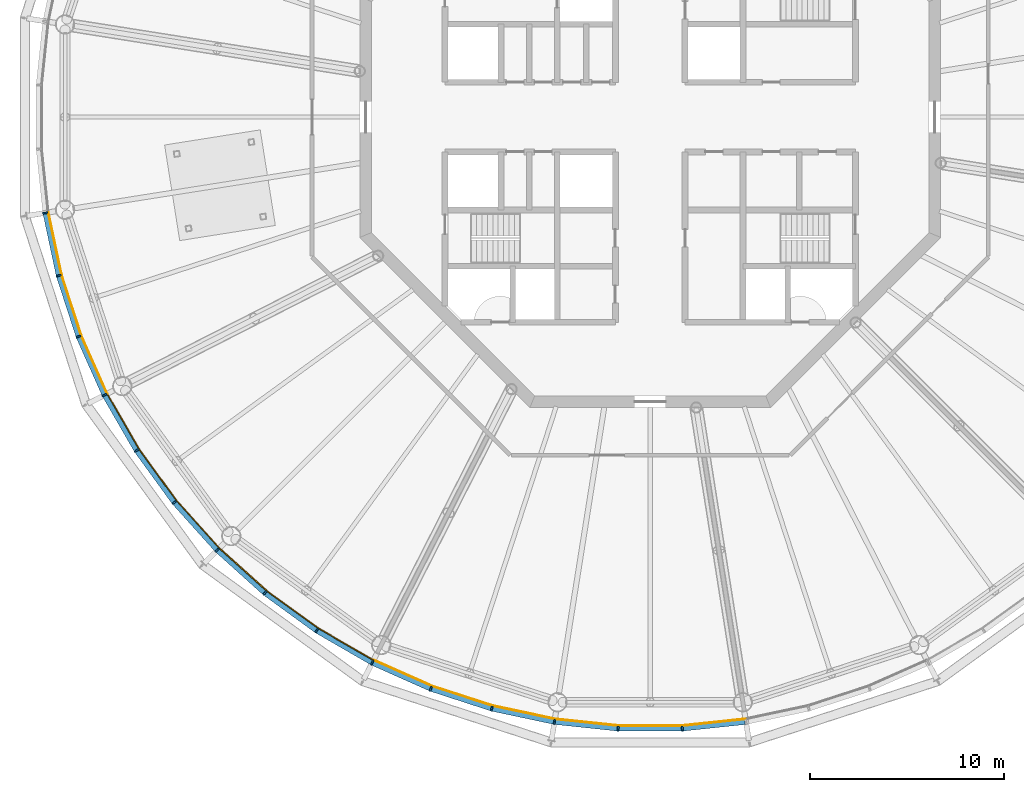
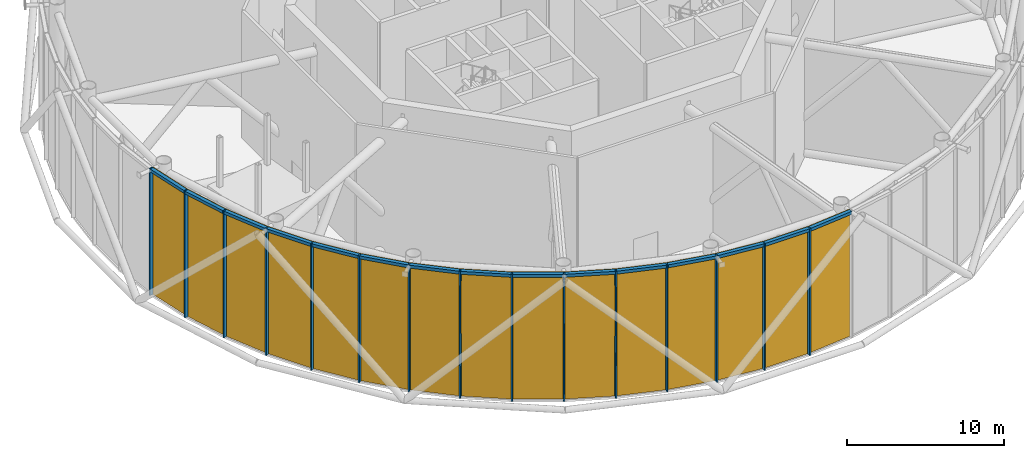
# One storey, part 18 of 23: 30 members, 5 curtain walls.
"""IFC4 building model written with IfcOpenShell, lengths in metres."""

from ifc_helpers import new_model, si_unit, direction, frame, origin, origin_2d, place, context, subcontext, project, spatial, polyline, rectangle, outline, extrude, material, layer, layer_set, material_profile, profile_set, type_object, element, aggregate, save


model = new_model("IFC4")

# Units and contexts
model_context = context("Model", 3, precision=1e-05, world=origin(), true_north=direction((0.0, 1.0)))
body_context = subcontext(model_context, "Body", "Model", "MODEL_VIEW")
ifc_project = project(units=[si_unit("LENGTHUNIT", "METRE"), si_unit("AREAUNIT", "SQUARE_METRE"), si_unit("VOLUMEUNIT", "CUBIC_METRE"), si_unit("PLANEANGLEUNIT", "RADIAN"), si_unit("MASSUNIT", "GRAM", prefix="KILO")], contexts=[model_context])

# Member
ifc_material_1 = material(Name="Anodised aluminium", Category="aluminium")
ifc_material_profile_1 = material_profile(ifc_material_1, rectangle(XDim=0.0849609375, YDim=0.260009765625, at=origin_2d()), Name="Mullion 85 x 260 mm anodised aluminium")
ifc_profile_set_1 = profile_set([ifc_material_profile_1], Name="Anodised aluminium")
member_type_1 = type_object("IfcMemberType", Name="Mullion 85 x 260 mm anodised aluminium", PredefinedType="MULLION", material=ifc_profile_set_1)
site_placement = place(None, origin())
building_placement = place(site_placement, origin())
storey_placement = place(building_placement, frame((0.0, 0.0, 392.0)))
member_1_placement = place(storey_placement, frame((58.759521484375, 75.052001953125, 0.0), z_axis=(0.0, 0.0, 1.0), x_axis=(0.15643446504, -0.987688340595, 0.0)))
member_1 = element("IfcMember", 1, at=member_1_placement, type_object=member_type_1, Name="MULLION L91-30", PredefinedType="MULLION", context=body_context, shape_type="SweptSolid", body=[
    extrude(rectangle(XDim=0.0849609375, YDim=0.260009765625, at=origin_2d()), origin(), (0.0, 0.0, 1.0), 9.85009765625),
])

member_2_placement = place(storey_placement, frame((59.44775390625, 71.8134765625, 0.0), z_axis=(0.0, 0.0, 1.0), x_axis=(0.258819045103, -0.965925826289, 0.0)))
member_2 = element("IfcMember", 2, at=member_2_placement, type_object=member_type_1, Name="MULLION L91-31", PredefinedType="MULLION", context=body_context, shape_type="SweptSolid", body=[
    extrude(rectangle(XDim=0.0849609375, YDim=0.260009765625, at=origin_2d()), origin(), (0.0, 0.0, 1.0), 9.85009765625),
])

member_3_placement = place(storey_placement, frame((60.470947265625, 68.664794921875, 0.0), z_axis=(0.0, 0.0, 1.0), x_axis=(0.358367949545, -0.933580426497, 0.0)))
member_3 = element("IfcMember", 3, at=member_3_placement, type_object=member_type_1, Name="MULLION L91-32", PredefinedType="MULLION", context=body_context, shape_type="SweptSolid", body=[
    extrude(rectangle(XDim=0.0849609375, YDim=0.260009765625, at=origin_2d()), origin(), (0.0, 0.0, 1.0), 9.85009765625),
])

member_4_placement = place(storey_placement, frame((61.8173828125, 65.640380859375, 0.0), z_axis=(0.0, 0.0, 1.0), x_axis=(0.45399049974, -0.891006524188, 0.0)))
member_4 = element("IfcMember", 4, at=member_4_placement, type_object=member_type_1, Name="MULLION L91-33", PredefinedType="MULLION", context=body_context, shape_type="SweptSolid", body=[
    extrude(rectangle(XDim=0.0849609375, YDim=0.260009765625, at=origin_2d()), origin(), (0.0, 0.0, 1.0), 9.85009765625),
])

member_5_placement = place(storey_placement, frame((63.472900390625, 62.77294921875, 0.0), z_axis=(0.0, 0.0, 1.0), x_axis=(0.544639035015, -0.838670567945, 0.0)))
member_5 = element("IfcMember", 5, at=member_5_placement, type_object=member_type_1, Name="MULLION L91-34", PredefinedType="MULLION", context=body_context, shape_type="SweptSolid", body=[
    extrude(rectangle(XDim=0.0849609375, YDim=0.260009765625, at=origin_2d()), origin(), (0.0, 0.0, 1.0), 9.85009765625),
])

member_6_placement = place(storey_placement, frame((65.4189453125, 60.094482421875, 0.0), z_axis=(0.0, 0.0, 1.0), x_axis=(0.62932039105, -0.777145961457, 0.0)))
member_6 = element("IfcMember", 6, at=member_6_placement, type_object=member_type_1, Name="MULLION L91-35", PredefinedType="MULLION", context=body_context, shape_type="SweptSolid", body=[
    extrude(rectangle(XDim=0.0849609375, YDim=0.260009765625, at=origin_2d()), origin(), (0.0, 0.0, 1.0), 9.85009765625),
])

member_7_placement = place(storey_placement, frame((67.63427734375, 57.63427734375, 0.0), z_axis=(0.0, 0.0, 1.0), x_axis=(0.707106781187, -0.707106781187, 0.0)))
member_7 = element("IfcMember", 7, at=member_7_placement, type_object=member_type_1, Name="MULLION L91-36", PredefinedType="MULLION", context=body_context, shape_type="SweptSolid", body=[
    extrude(rectangle(XDim=0.0849609375, YDim=0.260009765625, at=origin_2d()), origin(), (0.0, 0.0, 1.0), 9.85009765625),
])

member_8_placement = place(storey_placement, frame((70.094482421875, 55.4189453125, 0.0), z_axis=(0.0, 0.0, 1.0), x_axis=(0.777145961457, -0.62932039105, 0.0)))
member_8 = element("IfcMember", 8, at=member_8_placement, type_object=member_type_1, Name="MULLION L91-37", PredefinedType="MULLION", context=body_context, shape_type="SweptSolid", body=[
    extrude(rectangle(XDim=0.0849609375, YDim=0.260009765625, at=origin_2d()), origin(), (0.0, 0.0, 1.0), 9.85009765625),
])

member_9_placement = place(storey_placement, frame((72.77294921875, 53.472900390625, 0.0), z_axis=(0.0, 0.0, 1.0), x_axis=(0.838670567945, -0.544639035015, 0.0)))
member_9 = element("IfcMember", 9, at=member_9_placement, type_object=member_type_1, Name="MULLION L91-38", PredefinedType="MULLION", context=body_context, shape_type="SweptSolid", body=[
    extrude(rectangle(XDim=0.0849609375, YDim=0.260009765625, at=origin_2d()), origin(), (0.0, 0.0, 1.0), 9.85009765625),
])

member_10_placement = place(storey_placement, frame((75.640380859375, 51.8173828125, 0.0), z_axis=(0.0, 0.0, 1.0), x_axis=(0.891006524188, -0.45399049974, 0.0)))
member_10 = element("IfcMember", 10, at=member_10_placement, type_object=member_type_1, Name="MULLION L91-39", PredefinedType="MULLION", context=body_context, shape_type="SweptSolid", body=[
    extrude(rectangle(XDim=0.0849609375, YDim=0.260009765625, at=origin_2d()), origin(), (0.0, 0.0, 1.0), 9.85009765625),
])

member_11_placement = place(storey_placement, frame((78.664794921875, 50.470947265625, 0.0), z_axis=(0.0, 0.0, 1.0), x_axis=(0.933580426497, -0.358367949545, 0.0)))
member_11 = element("IfcMember", 11, at=member_11_placement, type_object=member_type_1, Name="MULLION L91-40", PredefinedType="MULLION", context=body_context, shape_type="SweptSolid", body=[
    extrude(rectangle(XDim=0.0849609375, YDim=0.260009765625, at=origin_2d()), origin(), (0.0, 0.0, 1.0), 9.85009765625),
])

member_12_placement = place(storey_placement, frame((81.8134765625, 49.44775390625, 0.0), z_axis=(0.0, 0.0, 1.0), x_axis=(0.965925826289, -0.258819045103, 0.0)))
member_12 = element("IfcMember", 12, at=member_12_placement, type_object=member_type_1, Name="MULLION L91-41", PredefinedType="MULLION", context=body_context, shape_type="SweptSolid", body=[
    extrude(rectangle(XDim=0.0849609375, YDim=0.260009765625, at=origin_2d()), origin(), (0.0, 0.0, 1.0), 9.85009765625),
])

member_13_placement = place(storey_placement, frame((85.052001953125, 48.759521484375, 0.0), z_axis=(0.0, 0.0, 1.0), x_axis=(0.987688340595, -0.15643446504, 0.0)))
member_13 = element("IfcMember", 13, at=member_13_placement, type_object=member_type_1, Name="MULLION L91-42", PredefinedType="MULLION", context=body_context, shape_type="SweptSolid", body=[
    extrude(rectangle(XDim=0.0849609375, YDim=0.260009765625, at=origin_2d()), origin(), (0.0, 0.0, 1.0), 9.85009765625),
])

member_14_placement = place(storey_placement, frame((88.3447265625, 48.413330078125, 0.0), z_axis=(0.0, 0.0, 1.0), x_axis=(0.998629534755, -0.052335956243, 0.0)))
member_14 = element("IfcMember", 14, at=member_14_placement, type_object=member_type_1, Name="MULLION L91-43", PredefinedType="MULLION", context=body_context, shape_type="SweptSolid", body=[
    extrude(rectangle(XDim=0.0849609375, YDim=0.260009765625, at=origin_2d()), origin(), (0.0, 0.0, 1.0), 9.85009765625),
])

member_15_placement = place(storey_placement, frame((91.6552734375, 48.413330078125, 0.0), z_axis=(0.0, 0.0, 1.0), x_axis=(0.998629534755, 0.052335956243, 0.0)))
member_15 = element("IfcMember", 15, at=member_15_placement, type_object=member_type_1, Name="MULLION L91-44", PredefinedType="MULLION", context=body_context, shape_type="SweptSolid", body=[
    extrude(rectangle(XDim=0.0849609375, YDim=0.260009765625, at=origin_2d()), origin(), (0.0, 0.0, 1.0), 9.85009765625),
])

ifc_material_2 = material(Name="Anodised aluminium", Category="aluminium")
ifc_material_profile_2 = material_profile(ifc_material_2, rectangle(XDim=0.260009765625, YDim=0.22998046875, at=origin_2d()), Name="Transom 230 x 260 mm anodised aluminium")
ifc_profile_set_2 = profile_set([ifc_material_profile_2], Name="Anodised aluminium")
member_type_2 = type_object("IfcMemberType", Name="Transom 230 x 260 mm anodised aluminium", PredefinedType="USERDEFINED", material=ifc_profile_set_2)
member_16_placement = place(storey_placement, frame((58.76953125, 75.003662109375, 9.735107421875), z_axis=(0.207883300291, -0.978153634896, 0.0), x_axis=(0.978153634896, 0.207883300291, 0.0)))
member_16 = element("IfcMember", 16, at=member_16_placement, type_object=member_type_2, Name="TRANSOM L91-30", ObjectType="TRANSOM", PredefinedType="USERDEFINED", context=body_context, shape_type="SweptSolid", body=[
    extrude(rectangle(XDim=0.260009765625, YDim=0.22998046875, at=origin_2d()), origin(), (0.0, 0.0, 1.0), 3.2119140625),
])

member_17_placement = place(storey_placement, frame((59.462890625, 71.7666015625, 9.735107421875), z_axis=(0.309036232585, -0.951050265207, 0.0), x_axis=(0.951050265207, 0.309036232585, 0.0)))
member_17 = element("IfcMember", 17, at=member_17_placement, type_object=member_type_2, Name="TRANSOM L91-31", ObjectType="TRANSOM", PredefinedType="USERDEFINED", context=body_context, shape_type="SweptSolid", body=[
    extrude(rectangle(XDim=0.260009765625, YDim=0.22998046875, at=origin_2d()), origin(), (0.0, 0.0, 1.0), 3.212158203125),
])

member_18_placement = place(storey_placement, frame((60.49072265625, 68.61962890625, 9.735107421875), z_axis=(0.406787162038, -0.913522963478, 0.0), x_axis=(0.913522963478, 0.406787162038, 0.0)))
member_18 = element("IfcMember", 18, at=member_18_placement, type_object=member_type_2, Name="TRANSOM L91-32", ObjectType="TRANSOM", PredefinedType="USERDEFINED", context=body_context, shape_type="SweptSolid", body=[
    extrude(rectangle(XDim=0.260009765625, YDim=0.22998046875, at=origin_2d()), origin(), (0.0, 0.0, 1.0), 3.212158203125),
])

member_19_placement = place(storey_placement, frame((61.842041015625, 65.597412109375, 9.735107421875), z_axis=(0.499981246758, -0.866036230703, 0.0), x_axis=(0.866036230703, 0.499981246758, 0.0)))
member_19 = element("IfcMember", 19, at=member_19_placement, type_object=member_type_2, Name="TRANSOM L91-33", ObjectType="TRANSOM", PredefinedType="USERDEFINED", context=body_context, shape_type="SweptSolid", body=[
    extrude(rectangle(XDim=0.260009765625, YDim=0.22998046875, at=origin_2d()), origin(), (0.0, 0.0, 1.0), 3.2119140625),
])

member_20_placement = place(storey_placement, frame((63.501708984375, 62.733154296875, 9.735107421875), z_axis=(0.587733257303, -0.809054768394, 0.0), x_axis=(0.809054768394, 0.587733257303, 0.0)))
member_20 = element("IfcMember", 20, at=member_20_placement, type_object=member_type_2, Name="TRANSOM L91-34", ObjectType="TRANSOM", PredefinedType="USERDEFINED", context=body_context, shape_type="SweptSolid", body=[
    extrude(rectangle(XDim=0.260009765625, YDim=0.22998046875, at=origin_2d()), origin(), (0.0, 0.0, 1.0), 3.212158203125),
])

member_21_placement = place(storey_placement, frame((65.45166015625, 60.057861328125, 9.735107421875), z_axis=(0.669124279055, -0.743150522558, 0.0), x_axis=(0.743150522558, 0.669124279055, 0.0)))
member_21 = element("IfcMember", 21, at=member_21_placement, type_object=member_type_2, Name="TRANSOM L91-35", ObjectType="TRANSOM", PredefinedType="USERDEFINED", context=body_context, shape_type="SweptSolid", body=[
    extrude(rectangle(XDim=0.260009765625, YDim=0.22998046875, at=origin_2d()), origin(), (0.0, 0.0, 1.0), 3.212158203125),
])

member_22_placement = place(storey_placement, frame((67.670654296875, 57.60107421875, 9.735107421875), z_axis=(0.743150522558, -0.669124279055, 0.0), x_axis=(0.669124279055, 0.743150522558, 0.0)))
member_22 = element("IfcMember", 22, at=member_22_placement, type_object=member_type_2, Name="TRANSOM L91-36", ObjectType="TRANSOM", PredefinedType="USERDEFINED", context=body_context, shape_type="SweptSolid", body=[
    extrude(rectangle(XDim=0.260009765625, YDim=0.22998046875, at=origin_2d()), origin(), (0.0, 0.0, 1.0), 3.212158203125),
])

member_23_placement = place(storey_placement, frame((70.13427734375, 55.3896484375, 9.735107421875), z_axis=(0.809054768394, -0.587733257303, 0.0), x_axis=(0.587733257303, 0.809054768394, 0.0)))
member_23 = element("IfcMember", 23, at=member_23_placement, type_object=member_type_2, Name="TRANSOM L91-37", ObjectType="TRANSOM", PredefinedType="USERDEFINED", context=body_context, shape_type="SweptSolid", body=[
    extrude(rectangle(XDim=0.260009765625, YDim=0.22998046875, at=origin_2d()), origin(), (0.0, 0.0, 1.0), 3.212158203125),
])

member_24_placement = place(storey_placement, frame((72.815673828125, 53.447998046875, 9.735107421875), z_axis=(0.866036230703, -0.499981246758, 0.0), x_axis=(0.499981246758, 0.866036230703, 0.0)))
member_24 = element("IfcMember", 24, at=member_24_placement, type_object=member_type_2, Name="TRANSOM L91-38", ObjectType="TRANSOM", PredefinedType="USERDEFINED", context=body_context, shape_type="SweptSolid", body=[
    extrude(rectangle(XDim=0.260009765625, YDim=0.22998046875, at=origin_2d()), origin(), (0.0, 0.0, 1.0), 3.2119140625),
])

member_25_placement = place(storey_placement, frame((75.685302734375, 51.79736328125, 9.735107421875), z_axis=(0.913522963478, -0.406787162038, 0.0), x_axis=(0.406787162038, 0.913522963478, 0.0)))
member_25 = element("IfcMember", 25, at=member_25_placement, type_object=member_type_2, Name="TRANSOM L91-39", ObjectType="TRANSOM", PredefinedType="USERDEFINED", context=body_context, shape_type="SweptSolid", body=[
    extrude(rectangle(XDim=0.260009765625, YDim=0.22998046875, at=origin_2d()), origin(), (0.0, 0.0, 1.0), 3.212158203125),
])

member_26_placement = place(storey_placement, frame((78.711669921875, 50.45556640625, 9.735107421875), z_axis=(0.951050265207, -0.309036232585, 0.0), x_axis=(0.309036232585, 0.951050265207, 0.0)))
member_26 = element("IfcMember", 26, at=member_26_placement, type_object=member_type_2, Name="TRANSOM L91-40", ObjectType="TRANSOM", PredefinedType="USERDEFINED", context=body_context, shape_type="SweptSolid", body=[
    extrude(rectangle(XDim=0.260009765625, YDim=0.22998046875, at=origin_2d()), origin(), (0.0, 0.0, 1.0), 3.212158203125),
])

member_27_placement = place(storey_placement, frame((81.86181640625, 49.437255859375, 9.735107421875), z_axis=(0.978153634896, -0.207883300291, 0.0), x_axis=(0.207883300291, 0.978153634896, 0.0)))
member_27 = element("IfcMember", 27, at=member_27_placement, type_object=member_type_2, Name="TRANSOM L91-41", ObjectType="TRANSOM", PredefinedType="USERDEFINED", context=body_context, shape_type="SweptSolid", body=[
    extrude(rectangle(XDim=0.260009765625, YDim=0.22998046875, at=origin_2d()), origin(), (0.0, 0.0, 1.0), 3.2119140625),
])

member_28_placement = place(storey_placement, frame((85.10107421875, 48.754150390625, 9.735107421875), z_axis=(0.994516275611, -0.104581917863, 0.0), x_axis=(0.104581917863, 0.994516275611, 0.0)))
member_28 = element("IfcMember", 28, at=member_28_placement, type_object=member_type_2, Name="TRANSOM L91-42", ObjectType="TRANSOM", PredefinedType="USERDEFINED", context=body_context, shape_type="SweptSolid", body=[
    extrude(rectangle(XDim=0.260009765625, YDim=0.22998046875, at=origin_2d()), origin(), (0.0, 0.0, 1.0), 3.212158203125),
])

member_29_placement = place(storey_placement, frame((88.393798828125, 48.4130859375, 9.735107421875), z_axis=(1.0, 0.0, 0.0), x_axis=(0.0, 1.0, 0.0)))
member_29 = element("IfcMember", 29, at=member_29_placement, type_object=member_type_2, Name="TRANSOM L91-43", ObjectType="TRANSOM", PredefinedType="USERDEFINED", context=body_context, shape_type="SweptSolid", body=[
    extrude(rectangle(XDim=0.260009765625, YDim=0.22998046875, at=origin_2d()), origin(), (0.0, 0.0, 1.0), 3.21240234375),
])

member_30_placement = place(storey_placement, frame((91.704345703125, 48.418212890625, 9.735107421875), z_axis=(0.994516275611, 0.104581917863, 0.0), x_axis=(-0.104581917863, 0.994516275611, 0.0)))
member_30 = element("IfcMember", 30, at=member_30_placement, type_object=member_type_2, Name="TRANSOM L91-44", ObjectType="TRANSOM", PredefinedType="USERDEFINED", context=body_context, shape_type="SweptSolid", body=[
    extrude(rectangle(XDim=0.260009765625, YDim=0.22998046875, at=origin_2d()), origin(), (0.0, 0.0, 1.0), 3.212158203125),
])

# Site, building, storey
site = spatial("IfcSite", under=ifc_project, at=site_placement, CompositionType="ELEMENT")
building = spatial("IfcBuilding", under=site, at=building_placement, Name="Entoto Ring Tower", CompositionType="ELEMENT")
storey = spatial("IfcBuildingStorey", under=building, at=storey_placement, Name="L91", CompositionType="ELEMENT", Elevation=392.0)

# Curtain wall
ifc_material_3 = material(Name="Clear low-iron glass", Category="glass")
ifc_layer = layer(ifc_material_3, 0.048095703125)
ifc_layer_set = layer_set([ifc_layer], Name="Clear low-iron glass")
curtain_wall_type = type_object("IfcCurtainWallType", Name="Curtain wall system CW9 glazing 48 mm", PredefinedType="NOTDEFINED", material=ifc_layer_set)
curtain_wall_1_placement = place(storey_placement, origin())
curtain_wall_1 = element("IfcCurtainWall", 31, at=curtain_wall_1_placement, inside=storey, type_object=curtain_wall_type, Name="CW9 L91-11", PredefinedType="NOTDEFINED", context=body_context, shape_type="SweptSolid", body=[
    extrude(outline(polyline([(58.8876953125, 75.072265625), (59.5732421875, 71.84716796875), (60.59228515625, 68.71142578125), (61.933349609375, 65.69921875), (61.97607421875, 65.72119140625), (60.63720703125, 68.728515625), (59.619873046875, 71.859619140625), (58.935302734375, 75.079833984375), (58.8876953125, 75.072265625)])), origin(), (0.0, 0.0, 1.0), 9.85009765625),
])

aggregate(curtain_wall_1, [member_1, member_2, member_3, member_16, member_17, member_18])

curtain_wall_2_placement = place(storey_placement, origin())
curtain_wall_2 = element("IfcCurtainWall", 32, at=curtain_wall_2_placement, inside=storey, type_object=curtain_wall_type, Name="CW9 L91-12", PredefinedType="NOTDEFINED", context=body_context, shape_type="SweptSolid", body=[
    extrude(outline(polyline([(61.933349609375, 65.69921875), (63.581787109375, 62.84375), (65.52001953125, 60.176513671875), (67.72607421875, 57.72607421875), (67.760009765625, 57.760009765625), (65.557373046875, 60.20654296875), (63.6220703125, 62.8701171875), (61.97607421875, 65.72119140625), (61.933349609375, 65.69921875)])), origin(), (0.0, 0.0, 1.0), 9.85009765625),
])

aggregate(curtain_wall_2, [member_4, member_5, member_6, member_19, member_20, member_21])

curtain_wall_3_placement = place(storey_placement, origin())
curtain_wall_3 = element("IfcCurtainWall", 33, at=curtain_wall_3_placement, inside=storey, type_object=curtain_wall_type, Name="CW9 L91-13", PredefinedType="NOTDEFINED", context=body_context, shape_type="SweptSolid", body=[
    extrude(outline(polyline([(67.72607421875, 57.72607421875), (70.176513671875, 55.52001953125), (72.84375, 53.581787109375), (75.69921875, 51.933349609375), (75.72119140625, 51.97607421875), (72.8701171875, 53.6220703125), (70.20654296875, 55.557373046875), (67.760009765625, 57.760009765625), (67.72607421875, 57.72607421875)])), origin(), (0.0, 0.0, 1.0), 9.85009765625),
])

aggregate(curtain_wall_3, [member_7, member_8, member_9, member_22, member_23, member_24])

curtain_wall_4_placement = place(storey_placement, origin())
curtain_wall_4 = element("IfcCurtainWall", 34, at=curtain_wall_4_placement, inside=storey, type_object=curtain_wall_type, Name="CW9 L91-14", PredefinedType="NOTDEFINED", context=body_context, shape_type="SweptSolid", body=[
    extrude(outline(polyline([(75.69921875, 51.933349609375), (78.71142578125, 50.59228515625), (81.84716796875, 49.5732421875), (85.072265625, 48.8876953125), (85.079833984375, 48.935302734375), (81.859619140625, 49.619873046875), (78.728515625, 50.63720703125), (75.72119140625, 51.97607421875), (75.69921875, 51.933349609375)])), origin(), (0.0, 0.0, 1.0), 9.85009765625),
])

aggregate(curtain_wall_4, [member_10, member_11, member_12, member_25, member_26, member_27])

curtain_wall_5_placement = place(storey_placement, origin())
curtain_wall_5 = element("IfcCurtainWall", 35, at=curtain_wall_5_placement, inside=storey, type_object=curtain_wall_type, Name="CW9 L91-15", PredefinedType="NOTDEFINED", context=body_context, shape_type="SweptSolid", body=[
    extrude(outline(polyline([(85.072265625, 48.8876953125), (88.351318359375, 48.543212890625), (91.648681640625, 48.543212890625), (94.927734375, 48.8876953125), (94.920166015625, 48.935302734375), (91.64599609375, 48.591064453125), (88.35400390625, 48.591064453125), (85.079833984375, 48.935302734375), (85.072265625, 48.8876953125)])), origin(), (0.0, 0.0, 1.0), 9.85009765625),
])

aggregate(curtain_wall_5, [member_13, member_14, member_15, member_28, member_29, member_30])

save(model, "model.ifc")
